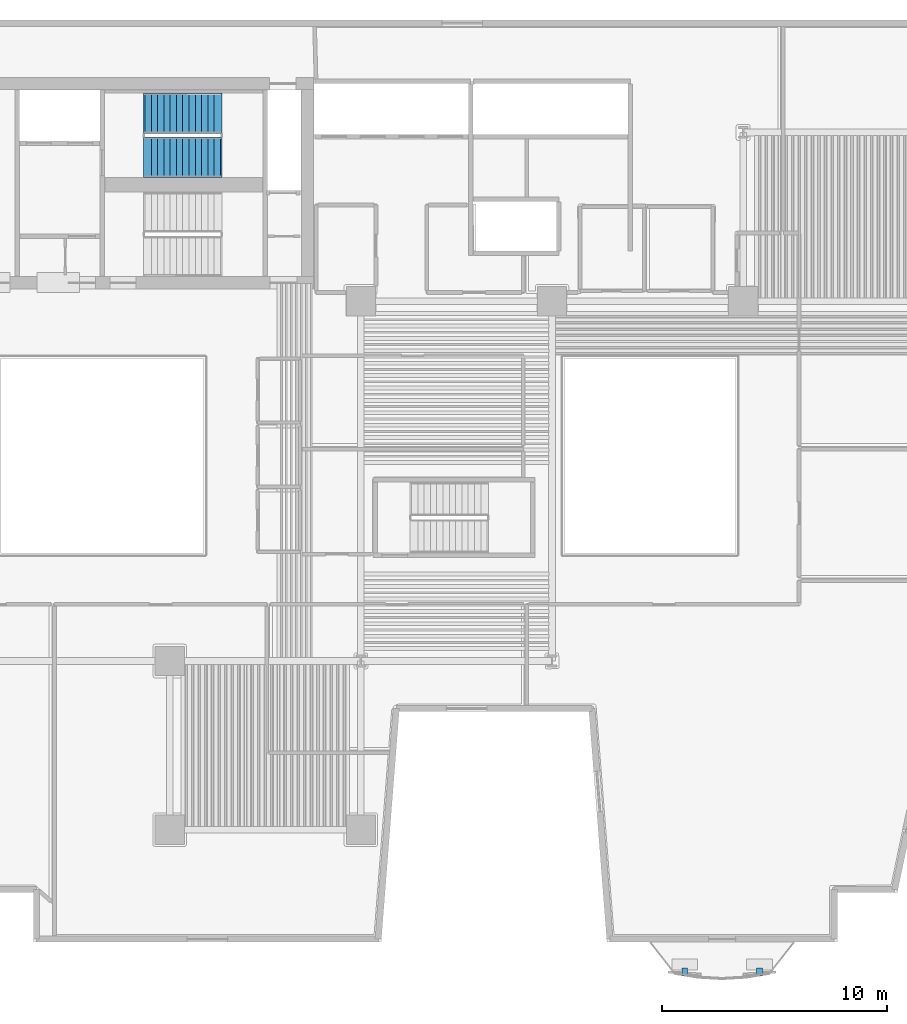
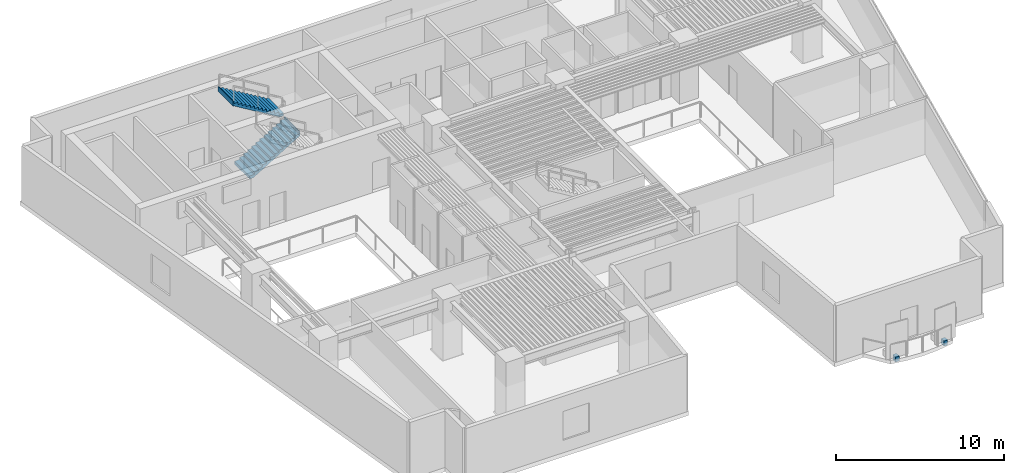
# One storey, part 7 of 12: 2 discrete accessories, 2 stair flights, 1 element without a shape of its own.
"""IFC4 building model written with IfcOpenShell, lengths in metres."""

from ifc_helpers import new_model, si_unit, direction, frame, origin, origin_2d, place, context, subcontext, project, spatial, polyline, rectangle, outline, extrude, material, type_object, element, aggregate, save


model = new_model("IFC4")

# Units and contexts
model_context = context("Model", 3, precision=1e-05, world=origin(), true_north=direction((0.0, 1.0)))
body_context = subcontext(model_context, "Body", "Model", "MODEL_VIEW")
ifc_project = project(units=[si_unit("LENGTHUNIT", "METRE"), si_unit("AREAUNIT", "SQUARE_METRE"), si_unit("VOLUMEUNIT", "CUBIC_METRE"), si_unit("PLANEANGLEUNIT", "RADIAN"), si_unit("MASSUNIT", "GRAM", prefix="KILO")], contexts=[model_context])

# Site, building, storey
site_placement = place(None, origin())
site = spatial("IfcSite", under=ifc_project, at=site_placement, CompositionType="ELEMENT")
building_placement = place(site_placement, origin())
building = spatial("IfcBuilding", under=site, at=building_placement, Name="Caeloran Harvest Quay", CompositionType="ELEMENT")
storey_placement = place(building_placement, frame((0.0, 0.0, 71.0)))
storey = spatial("IfcBuildingStorey", under=building, at=storey_placement, Name="L16", CompositionType="ELEMENT", Elevation=71.0)

# Stair, stair flights
ifc_material_1 = material(Name="Concrete C50/60", Category="concrete")
stair_type = type_object("IfcStairType", Name="STAIR-STC-180", PredefinedType="HALF_TURN_STAIR", material=ifc_material_1)
stair_placement = place(storey_placement, origin())
stair = element("IfcStair", 1, at=stair_placement, inside=storey, type_object=stair_type, Name="L16 Core Pressurized Exit Stair ST-C1", PredefinedType="HALF_TURN_STAIR")
stair_flight_type = type_object("IfcStairFlightType", Name="FLIGHT-STC-180", PredefinedType="STRAIGHT", material=ifc_material_1)
stair_flight_1_placement = place(storey_placement, frame((15.89990234375, 37.39990234375, 0.0), z_axis=(0.0, 0.0, 1.0), x_axis=(1.0, 0.0, 0.0)))
stair_flight_1 = element("IfcStairFlight", 2, at=stair_flight_1_placement, type_object=stair_flight_type, Name="ST-C1 flight 1", NumberOfRisers=13, NumberOfTreads=12, PredefinedType="STRAIGHT", RiserHeight=0.169230769, TreadLength=0.28, context=body_context, shape_type="SweptSolid", body=[
    extrude(outline(polyline([(-0.054931640625, -0.044921875), (-0.054931640625, -0.031494140625), (-0.054931640625, -0.018310546875), (-0.054931640625, -0.0048828125), (-0.054931640625, 0.008544921875), (-0.054931640625, 0.02197265625), (-0.054931640625, 0.035400390625), (-0.054931640625, 0.048828125), (-0.054931640625, 0.06201171875), (-0.054931640625, 0.075439453125), (-0.054931640625, 0.0888671875), (-0.054931640625, 0.102294921875), (-0.054931640625, 0.11572265625), (-0.054931640625, 0.129150390625), (-0.054931640625, 0.142333984375), (-0.054931640625, 0.15576171875), (-0.054931640625, 0.169189453125), (0.280029296875, 0.169189453125), (0.280029296875, 0.33837890625), (0.56005859375, 0.33837890625), (0.56005859375, 0.5078125), (0.840087890625, 0.5078125), (0.840087890625, 0.677001953125), (1.1201171875, 0.677001953125), (1.1201171875, 0.84619140625), (1.39990234375, 0.84619140625), (1.39990234375, 1.015380859375), (1.679931640625, 1.015380859375), (1.679931640625, 1.1845703125), (1.9599609375, 1.1845703125), (1.9599609375, 1.353759765625), (2.239990234375, 1.353759765625), (2.239990234375, 1.523193359375), (2.52001953125, 1.523193359375), (2.52001953125, 1.6923828125), (2.800048828125, 1.6923828125), (2.800048828125, 1.861572265625), (3.080078125, 1.861572265625), (3.080078125, 2.03076171875), (3.360107421875, 2.03076171875), (3.360107421875, 2.199951171875), (3.4150390625, 2.199951171875), (3.4150390625, 2.178466796875), (3.4150390625, 2.156982421875), (3.4150390625, 2.135498046875), (3.4150390625, 2.114013671875), (3.4150390625, 2.09228515625), (3.4150390625, 2.07080078125), (3.4150390625, 2.04931640625), (3.4150390625, 2.02783203125), (3.4150390625, 2.00634765625), (3.4150390625, 1.98486328125), (3.4150390625, 1.963134765625), (3.4150390625, 1.941650390625), (3.4150390625, 1.920166015625), (3.4150390625, 1.898681640625), (3.4150390625, 1.877197265625), (3.4150390625, 1.855712890625), (3.360107421875, 1.855712890625), (0.21533203125, -0.044921875), (-0.054931640625, -0.044921875)])), frame((0.0, 0.89990234375, 0.0), z_axis=(0.0, -1.0, 0.0), x_axis=(1.0, 0.0, 0.0)), (0.0, 0.0, 1.0), 1.800048828125),
])
stair_flight_2_placement = place(storey_placement, frame((19.260009765625, 39.35009765625, 2.199951171875), z_axis=(0.0, 0.0, 1.0), x_axis=(-1.0, 0.0, 0.0)))
stair_flight_2 = element("IfcStairFlight", 3, at=stair_flight_2_placement, type_object=stair_flight_type, Name="ST-C1 flight 2", NumberOfRisers=13, NumberOfTreads=12, PredefinedType="STRAIGHT", RiserHeight=0.169230769, TreadLength=0.28, context=body_context, shape_type="SweptSolid", body=[
    extrude(outline(polyline([(-0.054931640625, -0.044921875), (-0.054931640625, -0.031494140625), (-0.054931640625, -0.018310546875), (-0.054931640625, -0.0048828125), (-0.054931640625, 0.008544921875), (-0.054931640625, 0.02197265625), (-0.054931640625, 0.035400390625), (-0.054931640625, 0.048828125), (-0.054931640625, 0.06201171875), (-0.054931640625, 0.075439453125), (-0.054931640625, 0.0888671875), (-0.054931640625, 0.102294921875), (-0.054931640625, 0.11572265625), (-0.054931640625, 0.129150390625), (-0.054931640625, 0.142333984375), (-0.054931640625, 0.15576171875), (-0.054931640625, 0.169189453125), (0.280029296875, 0.169189453125), (0.280029296875, 0.33837890625), (0.56005859375, 0.33837890625), (0.56005859375, 0.5078125), (0.840087890625, 0.5078125), (0.840087890625, 0.677001953125), (1.1201171875, 0.677001953125), (1.1201171875, 0.84619140625), (1.39990234375, 0.84619140625), (1.39990234375, 1.015380859375), (1.679931640625, 1.015380859375), (1.679931640625, 1.1845703125), (1.9599609375, 1.1845703125), (1.9599609375, 1.353759765625), (2.239990234375, 1.353759765625), (2.239990234375, 1.523193359375), (2.52001953125, 1.523193359375), (2.52001953125, 1.6923828125), (2.800048828125, 1.6923828125), (2.800048828125, 1.861572265625), (3.080078125, 1.861572265625), (3.080078125, 2.03076171875), (3.360107421875, 2.03076171875), (3.360107421875, 2.199951171875), (3.4150390625, 2.199951171875), (3.4150390625, 2.178466796875), (3.4150390625, 2.156982421875), (3.4150390625, 2.135498046875), (3.4150390625, 2.114013671875), (3.4150390625, 2.09228515625), (3.4150390625, 2.07080078125), (3.4150390625, 2.04931640625), (3.4150390625, 2.02783203125), (3.4150390625, 2.00634765625), (3.4150390625, 1.98486328125), (3.4150390625, 1.963134765625), (3.4150390625, 1.941650390625), (3.4150390625, 1.920166015625), (3.4150390625, 1.898681640625), (3.4150390625, 1.877197265625), (3.4150390625, 1.855712890625), (3.360107421875, 1.855712890625), (0.21533203125, -0.044921875), (-0.054931640625, -0.044921875)])), frame((0.0, 0.89990234375, 0.0), z_axis=(0.0, -1.0, 0.0), x_axis=(1.0, 0.0, 0.0)), (0.0, 0.0, 1.0), 1.800048828125),
])
aggregate(stair, [stair_flight_1, stair_flight_2])

# Discrete accessories
ifc_material_2 = material(Name="Stainless Steel Grade 316L", Category="steel")
discrete_accessory_type = type_object("IfcDiscreteAccessoryType", Name="BRACKET-SCREEN-SS", PredefinedType="BRACKET", material=ifc_material_2)
for number, where, z_axis, x_axis, name in (
    (4, (43.218505859375, 1.181396484375, -0.22021484375), (0.0, 0.0, 1.0), (1.0, 0.0, 0.0), "L16 Balcony Screen Support Bracket 1"),
    (5, (39.8984375, 1.181396484375, -0.22021484375), (0.0, 0.0, 1.0), (1.0, 0.0, 0.0), "L16 Balcony Screen Support Bracket 2"),
):
    element("IfcDiscreteAccessory", number, at=place(storey_placement, frame(where, z_axis=z_axis, x_axis=x_axis)), inside=storey, type_object=discrete_accessory_type, Name=name, PredefinedType="BRACKET", context=body_context, shape_type="SweptSolid", body=[
        extrude(rectangle(XDim=0.260009765625, YDim=0.340087890625, at=origin_2d()), origin(), (0.0, 0.0, 1.0), 0.360107421875),
    ])

save(model, "model.ifc")
